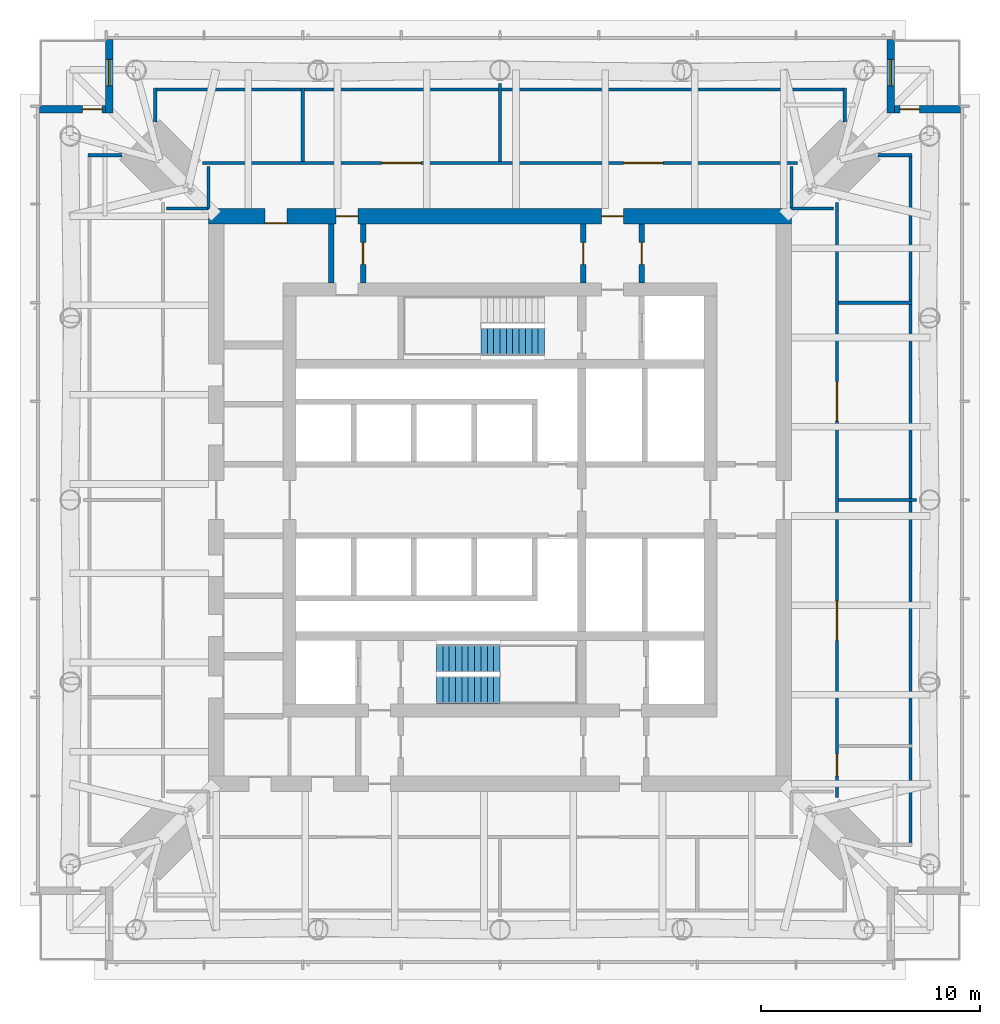
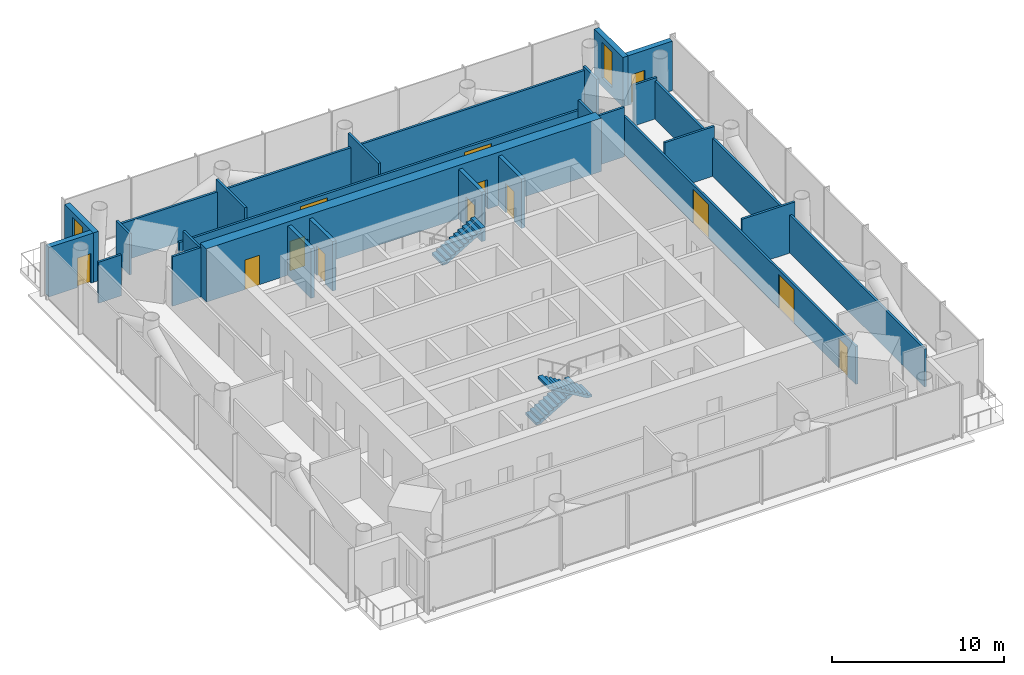
# One storey, part 7 of 13: 25 walls, 13 doors, 3 stair flights, 2 windows, 15 openings, 2 elements without a shape of their own.
"""IFC4 building model written with IfcOpenShell, lengths in metres."""

from ifc_helpers import new_model, si_unit, direction, frame, frame_2d, origin, place, context, subcontext, project, spatial, polyline, rectangle, outline, extrude, material, layer, layer_set, type_object, element, fill, aggregate, save


model = new_model("IFC4")

# Units and contexts
model_context = context("Model", 3, precision=1e-05, world=origin(), true_north=direction((0.0, 1.0)))
body_context = subcontext(model_context, "Body", "Model", "MODEL_VIEW")
ifc_project = project(units=[si_unit("LENGTHUNIT", "METRE"), si_unit("AREAUNIT", "SQUARE_METRE"), si_unit("VOLUMEUNIT", "CUBIC_METRE"), si_unit("PLANEANGLEUNIT", "RADIAN"), si_unit("MASSUNIT", "GRAM", prefix="KILO")], contexts=[model_context])

# Site, building, storey
site_placement = place(None, origin())
site = spatial("IfcSite", under=ifc_project, at=site_placement, CompositionType="ELEMENT")
building_placement = place(site_placement, origin())
building = spatial("IfcBuilding", under=site, at=building_placement, Name="Ostroluk Exchange", CompositionType="ELEMENT")
storey_placement = place(building_placement, frame((0.0, 0.0, 157.800048828125)))
storey = spatial("IfcBuildingStorey", under=building, at=storey_placement, Name="L40", CompositionType="ELEMENT", Elevation=157.800048828125)

# Wall
ifc_material_1 = material(Name="Concrete blockwork", Category="masonry")
ifc_layer_1 = layer(ifc_material_1, 0.14990234375)
ifc_layer_set_1 = layer_set([ifc_layer_1], Name="Blockwork plant room wall 150")
wall_type_1 = type_object("IfcWallType", Name="Blockwork plant room wall 150", PredefinedType="SOLIDWALL", material=ifc_layer_set_1)
wall_1_placement = place(storey_placement, frame((60.449951171875, 46.0, 0.0), z_axis=(0.0, 0.0, 1.0), x_axis=(1.0, 0.0, 0.0)))
element("IfcWall", 1, at=wall_1_placement, inside=storey, type_object=wall_type_1, Name="Plant room wall", PredefinedType="SOLIDWALL", context=body_context, shape_type="SweptSolid", body=[
    extrude(rectangle(XDim=3.56005859375, YDim=0.14990234375, at=frame_2d((1.780029296875, 0.0))), origin(), (0.0, 0.0, 1.0), 3.52001953125),
])

# Wall, openings, doors
wall_2_placement = place(storey_placement, frame((60.375, 32.431396484375, 0.0), z_axis=(0.0, 0.0, 1.0), x_axis=(0.0, 1.0, 0.0)))
wall_2 = element("IfcWall", 2, at=wall_2_placement, inside=storey, type_object=wall_type_1, Name="Plant room wall", PredefinedType="SOLIDWALL", context=body_context, shape_type="SweptSolid", body=[
    extrude(rectangle(XDim=27.13720703125, YDim=0.14990234375, at=frame_2d((13.568603515625, 0.0))), origin(), (0.0, 0.0, 1.0), 2.7060546875),
])
opening_1_placement = place(wall_2_placement, frame((0.96875, 0.0, 0.0)))
opening_1 = element("IfcOpeningElement", 3, at=opening_1_placement, cuts=wall_2, Name="Opening FD60", PredefinedType="OPENING", context=body_context, shape_type="SweptSolid", body=[
    extrude(rectangle(XDim=1.0, YDim=2.10009765625, at=frame_2d((0.5, 1.050048828125))), frame((0.0, 0.0849609375, 0.0), z_axis=(0.0, -1.0, 0.0), x_axis=(1.0, 0.0, 0.0)), (0.0, 0.0, 1.0), 0.169921875),
])
opening_2_placement = place(wall_2_placement, frame((7.168701171875, 0.0, 0.0)))
opening_2 = element("IfcOpeningElement", 4, at=opening_2_placement, cuts=wall_2, Name="Opening D-05", PredefinedType="OPENING", context=body_context, shape_type="SweptSolid", body=[
    extrude(rectangle(XDim=1.800048828125, YDim=2.39990234375, at=frame_2d((0.89990234375, 1.199951171875))), frame((0.0, 0.0849609375, 0.0), z_axis=(0.0, -1.0, 0.0), x_axis=(1.0, 0.0, 0.0)), (0.0, 0.0, 1.0), 0.169921875),
])
opening_3_placement = place(wall_2_placement, frame((17.168701171875, 0.0, 0.0)))
opening_3 = element("IfcOpeningElement", 5, at=opening_3_placement, cuts=wall_2, Name="Opening D-05", PredefinedType="OPENING", context=body_context, shape_type="SweptSolid", body=[
    extrude(rectangle(XDim=1.800048828125, YDim=2.39990234375, at=frame_2d((0.89990234375, 1.199951171875))), frame((0.0, 0.0849609375, 0.0), z_axis=(0.0, -1.0, 0.0), x_axis=(1.0, 0.0, 0.0)), (0.0, 0.0, 1.0), 0.169921875),
])
ifc_material_2 = material(Name="Steel", Category="steel")
door_type_1 = type_object("IfcDoorType", Name="Fire door EI 60 1000 x 2100", OperationType="SINGLE_SWING_LEFT", PredefinedType="DOOR", material=ifc_material_2)
door_1_placement = place(opening_1_placement, origin())
door_1 = element("IfcDoor", 6, at=door_1_placement, inside=storey, type_object=door_type_1, Name="Maintenance lobby door", OperationType="SINGLE_SWING_LEFT", OverallHeight=2.10009765625, OverallWidth=1.0, PredefinedType="DOOR", context=body_context, shape_type="SweptSolid", body=[
    extrude(rectangle(XDim=1.0, YDim=2.10009765625, at=frame_2d((0.5, 1.050048828125))), frame((0.0, 0.02490234375, 0.0), z_axis=(0.0, -1.0, 0.0), x_axis=(1.0, 0.0, 0.0)), (0.0, 0.0, 1.0), 0.050048828125),
])
fill(opening_1, door_1)
ifc_material_3 = material(Name="Steel", Category="steel")
door_type_2 = type_object("IfcDoorType", Name="Plant room double door EI 60 1800 x 2400", OperationType="DOUBLE_DOOR_SINGLE_SWING", PredefinedType="DOOR", material=ifc_material_3)
door_2_placement = place(opening_2_placement, origin())
door_2 = element("IfcDoor", 7, at=door_2_placement, inside=storey, type_object=door_type_2, Name="AHU room door", OperationType="DOUBLE_DOOR_SINGLE_SWING", OverallHeight=2.39990234375, OverallWidth=1.800048828125, PredefinedType="DOOR", context=body_context, shape_type="SweptSolid", body=[
    extrude(rectangle(XDim=1.800048828125, YDim=2.39990234375, at=frame_2d((0.89990234375, 1.199951171875))), frame((0.0, 0.02490234375, 0.0), z_axis=(0.0, -1.0, 0.0), x_axis=(1.0, 0.0, 0.0)), (0.0, 0.0, 1.0), 0.050048828125),
])
fill(opening_2, door_2)
door_3_placement = place(opening_3_placement, origin())
door_3 = element("IfcDoor", 8, at=door_3_placement, inside=storey, type_object=door_type_2, Name="Smoke extract fan room door", OperationType="DOUBLE_DOOR_SINGLE_SWING", OverallHeight=2.39990234375, OverallWidth=1.800048828125, PredefinedType="DOOR", context=body_context, shape_type="SweptSolid", body=[
    extrude(rectangle(XDim=1.800048828125, YDim=2.39990234375, at=frame_2d((0.89990234375, 1.199951171875))), frame((0.0, 0.02490234375, 0.0), z_axis=(0.0, -1.0, 0.0), x_axis=(1.0, 0.0, 0.0)), (0.0, 0.0, 1.0), 0.050048828125),
])
fill(opening_3, door_3)

# Walls
wall_3_placement = place(storey_placement, frame((60.449951171875, 55.0, 0.0), z_axis=(0.0, 0.0, 1.0), x_axis=(1.0, 0.0, 0.0)))
element("IfcWall", 9, at=wall_3_placement, inside=storey, type_object=wall_type_1, Name="Plant room wall", PredefinedType="SOLIDWALL", context=body_context, shape_type="SweptSolid", body=[
    extrude(rectangle(XDim=3.35009765625, YDim=0.14990234375, at=frame_2d((1.675048828125, 0.0))), origin(), (0.0, 0.0, 1.0), 3.52001953125),
])
wall_4_placement = place(storey_placement, frame((45.0, 61.449951171875, 0.0), z_axis=(0.0, 0.0, 1.0), x_axis=(0.0, 1.0, 0.0)))
element("IfcWall", 10, at=wall_4_placement, inside=storey, type_object=wall_type_1, Name="Plant room wall", PredefinedType="SOLIDWALL", context=body_context, shape_type="SweptSolid", body=[
    extrude(rectangle(XDim=3.56005859375, YDim=0.14990234375, at=frame_2d((1.780029296875, 0.0))), origin(), (0.0, 0.0, 1.0), 3.52001953125),
])

# Wall, openings, doors
wall_5_placement = place(storey_placement, frame((58.568603515625, 61.375, 0.0), z_axis=(0.0, 0.0, 1.0), x_axis=(-1.0, 0.0, 0.0)))
wall_5 = element("IfcWall", 11, at=wall_5_placement, inside=storey, type_object=wall_type_1, Name="Plant room wall", PredefinedType="SOLIDWALL", context=body_context, shape_type="SweptSolid", body=[
    extrude(rectangle(XDim=27.13720703125, YDim=0.14990234375, at=frame_2d((13.568603515625, 0.0))), origin(), (0.0, 0.0, 1.0), 2.7060546875),
])
opening_4_placement = place(wall_5_placement, frame((6.131103515625, 0.0, 0.0)))
opening_4 = element("IfcOpeningElement", 12, at=opening_4_placement, cuts=wall_5, Name="Opening D-05", PredefinedType="OPENING", context=body_context, shape_type="SweptSolid", body=[
    extrude(rectangle(XDim=1.800048828125, YDim=2.39990234375, at=frame_2d((0.89990234375, 1.199951171875))), frame((0.0, 0.0849609375, 0.0), z_axis=(0.0, -1.0, 0.0), x_axis=(1.0, 0.0, 0.0)), (0.0, 0.0, 1.0), 0.169921875),
])
opening_5_placement = place(wall_5_placement, frame((17.168701171875, 0.0, 0.0)))
opening_5 = element("IfcOpeningElement", 13, at=opening_5_placement, cuts=wall_5, Name="Opening D-05", PredefinedType="OPENING", context=body_context, shape_type="SweptSolid", body=[
    extrude(rectangle(XDim=1.800048828125, YDim=2.39990234375, at=frame_2d((0.89990234375, 1.199951171875))), frame((0.0, 0.0849609375, 0.0), z_axis=(0.0, -1.0, 0.0), x_axis=(1.0, 0.0, 0.0)), (0.0, 0.0, 1.0), 0.169921875),
])
door_4_placement = place(opening_4_placement, origin())
door_4 = element("IfcDoor", 14, at=door_4_placement, inside=storey, type_object=door_type_2, Name="Water tank room door", OperationType="DOUBLE_DOOR_SINGLE_SWING", OverallHeight=2.39990234375, OverallWidth=1.800048828125, PredefinedType="DOOR", context=body_context, shape_type="SweptSolid", body=[
    extrude(rectangle(XDim=1.800048828125, YDim=2.39990234375, at=frame_2d((0.89990234375, 1.199951171875))), frame((0.0, 0.02490234375, 0.0), z_axis=(0.0, -1.0, 0.0), x_axis=(1.0, 0.0, 0.0)), (0.0, 0.0, 1.0), 0.050048828125),
])
fill(opening_4, door_4)
door_5_placement = place(opening_5_placement, origin())
door_5 = element("IfcDoor", 15, at=door_5_placement, inside=storey, type_object=door_type_2, Name="Booster pump room door", OperationType="DOUBLE_DOOR_SINGLE_SWING", OverallHeight=2.39990234375, OverallWidth=1.800048828125, PredefinedType="DOOR", context=body_context, shape_type="SweptSolid", body=[
    extrude(rectangle(XDim=1.800048828125, YDim=2.39990234375, at=frame_2d((0.89990234375, 1.199951171875))), frame((0.0, 0.02490234375, 0.0), z_axis=(0.0, -1.0, 0.0), x_axis=(1.0, 0.0, 0.0)), (0.0, 0.0, 1.0), 0.050048828125),
])
fill(opening_5, door_5)

# Wall
wall_6_placement = place(storey_placement, frame((36.0, 61.449951171875, 0.0), z_axis=(0.0, 0.0, 1.0), x_axis=(0.0, 1.0, 0.0)))
element("IfcWall", 16, at=wall_6_placement, inside=storey, type_object=wall_type_1, Name="Plant room wall", PredefinedType="SOLIDWALL", context=body_context, shape_type="SweptSolid", body=[
    extrude(rectangle(XDim=3.35009765625, YDim=0.14990234375, at=frame_2d((1.675048828125, 0.0))), origin(), (0.0, 0.0, 1.0), 3.52001953125),
])

# Wall, opening, door
ifc_material_4 = material(Name="Concrete blockwork", Category="masonry")
ifc_layer_2 = layer(ifc_material_4, 0.25)
ifc_layer_set_2 = layer_set([ifc_layer_2], Name="Blockwork stair enclosure wall 250")
wall_type_2 = type_object("IfcWallType", Name="Blockwork stair enclosure wall 250", PredefinedType="SOLIDWALL", material=ifc_layer_set_2)
wall_7_placement = place(storey_placement, frame((48.804931640625, 55.89990234375, 0.0), z_axis=(0.0, 0.0, 1.0), x_axis=(0.0, 1.0, 0.0)))
wall_7 = element("IfcWall", 17, at=wall_7_placement, inside=storey, type_object=wall_type_2, Name="Fire lobby enclosure wall", PredefinedType="SOLIDWALL", context=body_context, shape_type="SweptSolid", body=[
    extrude(rectangle(XDim=2.7001953125, YDim=0.25, at=frame_2d((1.35009765625, 0.0))), origin(), (0.0, 0.0, 1.0), 3.52001953125),
])
opening_6_placement = place(wall_7_placement, frame((0.85009765625, 0.0, 0.0)))
opening_6 = element("IfcOpeningElement", 18, at=opening_6_placement, cuts=wall_7, Name="Opening FD60", PredefinedType="OPENING", context=body_context, shape_type="SweptSolid", body=[
    extrude(rectangle(XDim=1.0, YDim=2.10009765625, at=frame_2d((0.5, 1.050048828125))), frame((0.0, 0.135009765625, 0.0), z_axis=(0.0, -1.0, 0.0), x_axis=(1.0, 0.0, 0.0)), (0.0, 0.0, 1.0), 0.27001953125),
])
door_6_placement = place(opening_6_placement, origin())
door_6 = element("IfcDoor", 19, at=door_6_placement, inside=storey, type_object=door_type_1, Name="Core link door", OperationType="SINGLE_SWING_LEFT", OverallHeight=2.10009765625, OverallWidth=1.0, PredefinedType="DOOR", context=body_context, shape_type="SweptSolid", body=[
    extrude(rectangle(XDim=1.0, YDim=2.10009765625, at=frame_2d((0.5, 1.050048828125))), frame((0.0, 0.02490234375, 0.0), z_axis=(0.0, -1.0, 0.0), x_axis=(1.0, 0.0, 0.0)), (0.0, 0.0, 1.0), 0.050048828125),
])
fill(opening_6, door_6)

wall_8_placement = place(storey_placement, frame((51.47509765625, 55.89990234375, 0.0), z_axis=(0.0, 0.0, 1.0), x_axis=(0.0, 1.0, 0.0)))
wall_8 = element("IfcWall", 20, at=wall_8_placement, inside=storey, type_object=wall_type_2, Name="Fire lobby enclosure wall", PredefinedType="SOLIDWALL", context=body_context, shape_type="SweptSolid", body=[
    extrude(rectangle(XDim=2.7001953125, YDim=0.25, at=frame_2d((1.35009765625, 0.0))), origin(), (0.0, 0.0, 1.0), 3.52001953125),
])
opening_7_placement = place(wall_8_placement, frame((0.85009765625, 0.0, 0.0)))
opening_7 = element("IfcOpeningElement", 21, at=opening_7_placement, cuts=wall_8, Name="Opening FD60", PredefinedType="OPENING", context=body_context, shape_type="SweptSolid", body=[
    extrude(rectangle(XDim=1.0, YDim=2.10009765625, at=frame_2d((0.5, 1.050048828125))), frame((0.0, 0.135009765625, 0.0), z_axis=(0.0, -1.0, 0.0), x_axis=(1.0, 0.0, 0.0)), (0.0, 0.0, 1.0), 0.27001953125),
])
door_7_placement = place(opening_7_placement, origin())
door_7 = element("IfcDoor", 22, at=door_7_placement, inside=storey, type_object=door_type_1, Name="Core link door", OperationType="SINGLE_SWING_LEFT", OverallHeight=2.10009765625, OverallWidth=1.0, PredefinedType="DOOR", context=body_context, shape_type="SweptSolid", body=[
    extrude(rectangle(XDim=1.0, YDim=2.10009765625, at=frame_2d((0.5, 1.050048828125))), frame((0.0, 0.02490234375, 0.0), z_axis=(0.0, -1.0, 0.0), x_axis=(1.0, 0.0, 0.0)), (0.0, 0.0, 1.0), 0.050048828125),
])
fill(opening_7, door_7)

# Wall
wall_9_placement = place(storey_placement, frame((37.300048828125, 55.89990234375, 0.0), z_axis=(0.0, 0.0, 1.0), x_axis=(0.0, 1.0, 0.0)))
element("IfcWall", 23, at=wall_9_placement, inside=storey, type_object=wall_type_2, Name="Core corridor wall", PredefinedType="SOLIDWALL", context=body_context, shape_type="SweptSolid", body=[
    extrude(rectangle(XDim=2.7001953125, YDim=0.25, at=frame_2d((1.35009765625, 0.0))), origin(), (0.0, 0.0, 1.0), 3.52001953125),
])

# Wall, opening, door
wall_10_placement = place(storey_placement, frame((38.75, 55.89990234375, 0.0), z_axis=(0.0, 0.0, 1.0), x_axis=(0.0, 1.0, 0.0)))
wall_10 = element("IfcWall", 24, at=wall_10_placement, inside=storey, type_object=wall_type_2, Name="Core corridor wall", PredefinedType="SOLIDWALL", context=body_context, shape_type="SweptSolid", body=[
    extrude(rectangle(XDim=2.7001953125, YDim=0.25, at=frame_2d((1.35009765625, 0.0))), origin(), (0.0, 0.0, 1.0), 3.52001953125),
])
opening_8_placement = place(wall_10_placement, frame((0.85009765625, 0.0, 0.0)))
opening_8 = element("IfcOpeningElement", 25, at=opening_8_placement, cuts=wall_10, Name="Opening FD60", PredefinedType="OPENING", context=body_context, shape_type="SweptSolid", body=[
    extrude(rectangle(XDim=1.0, YDim=2.10009765625, at=frame_2d((0.5, 1.050048828125))), frame((0.0, 0.135009765625, 0.0), z_axis=(0.0, -1.0, 0.0), x_axis=(1.0, 0.0, 0.0)), (0.0, 0.0, 1.0), 0.27001953125),
])
door_8_placement = place(opening_8_placement, origin())
door_8 = element("IfcDoor", 26, at=door_8_placement, inside=storey, type_object=door_type_1, Name="Core link door", OperationType="SINGLE_SWING_LEFT", OverallHeight=2.10009765625, OverallWidth=1.0, PredefinedType="DOOR", context=body_context, shape_type="SweptSolid", body=[
    extrude(rectangle(XDim=1.0, YDim=2.10009765625, at=frame_2d((0.5, 1.050048828125))), frame((0.0, 0.02490234375, 0.0), z_axis=(0.0, -1.0, 0.0), x_axis=(1.0, 0.0, 0.0)), (0.0, 0.0, 1.0), 0.050048828125),
])
fill(opening_8, door_8)

# Wall, openings, doors
ifc_material_5 = material(Name="Concrete C50/60", Category="concrete")
ifc_layer_3 = layer(ifc_material_5, 0.699951171875)
ifc_layer_set_3 = layer_set([ifc_layer_3], Name="Core wall 700 C50/60")
wall_type_3 = type_object("IfcWallType", Name="Core wall 700 C50/60", PredefinedType="SHEAR", material=ifc_layer_set_3)
wall_11_placement = place(storey_placement, frame((31.699951171875, 58.949951171875, 0.0), z_axis=(0.0, 0.0, 1.0), x_axis=(1.0, 0.0, 0.0)))
wall_11 = element("IfcWall", 27, at=wall_11_placement, inside=storey, type_object=wall_type_3, Name="T1 core wall RN", PredefinedType="SHEAR", context=body_context, shape_type="SweptSolid", body=[
    extrude(rectangle(XDim=26.60009765625, YDim=0.699951171875, at=frame_2d((13.300048828125, 0.0))), origin(), (0.0, 0.0, 1.0), 3.800048828125),
])
opening_9_placement = place(wall_11_placement, frame((17.93994140625, 0.0, 0.0)))
opening_9 = element("IfcOpeningElement", 28, at=opening_9_placement, cuts=wall_11, Name="Opening FD60", PredefinedType="OPENING", context=body_context, shape_type="SweptSolid", body=[
    extrude(rectangle(XDim=1.0, YDim=2.10009765625, at=frame_2d((0.5, 1.050048828125))), frame((0.0, 0.35986328125, 0.0), z_axis=(0.0, -1.0, 0.0), x_axis=(1.0, 0.0, 0.0)), (0.0, 0.0, 1.0), 0.719970703125),
])
opening_10_placement = place(wall_11_placement, frame((5.824951171875, 0.0, 0.0)))
opening_10 = element("IfcOpeningElement", 29, at=opening_10_placement, cuts=wall_11, Name="Opening FD60", PredefinedType="OPENING", context=body_context, shape_type="SweptSolid", body=[
    extrude(rectangle(XDim=1.0, YDim=2.10009765625, at=frame_2d((0.5, 1.050048828125))), frame((0.0, 0.35986328125, 0.0), z_axis=(0.0, -1.0, 0.0), x_axis=(1.0, 0.0, 0.0)), (0.0, 0.0, 1.0), 0.719970703125),
])
opening_11_placement = place(wall_11_placement, frame((2.58740234375, 0.0, 0.0)))
opening_11 = element("IfcOpeningElement", 30, at=opening_11_placement, cuts=wall_11, Name="Opening FD60", PredefinedType="OPENING", context=body_context, shape_type="SweptSolid", body=[
    extrude(rectangle(XDim=1.0, YDim=2.10009765625, at=frame_2d((0.5, 1.050048828125))), frame((0.0, 0.35986328125, 0.0), z_axis=(0.0, -1.0, 0.0), x_axis=(1.0, 0.0, 0.0)), (0.0, 0.0, 1.0), 0.719970703125),
])
door_9_placement = place(opening_9_placement, origin())
door_9 = element("IfcDoor", 31, at=door_9_placement, inside=storey, type_object=door_type_1, Name="Firefighting lobby door", OperationType="SINGLE_SWING_RIGHT", OverallHeight=2.10009765625, OverallWidth=1.0, PredefinedType="DOOR", context=body_context, shape_type="SweptSolid", body=[
    extrude(rectangle(XDim=1.0, YDim=2.10009765625, at=frame_2d((0.5, 1.050048828125))), frame((0.0, 0.02490234375, 0.0), z_axis=(0.0, -1.0, 0.0), x_axis=(1.0, 0.0, 0.0)), (0.0, 0.0, 1.0), 0.050048828125),
])
fill(opening_9, door_9)
door_10_placement = place(opening_10_placement, origin())
door_10 = element("IfcDoor", 32, at=door_10_placement, inside=storey, type_object=door_type_1, Name="Core corridor door", OperationType="SINGLE_SWING_LEFT", OverallHeight=2.10009765625, OverallWidth=1.0, PredefinedType="DOOR", context=body_context, shape_type="SweptSolid", body=[
    extrude(rectangle(XDim=1.0, YDim=2.10009765625, at=frame_2d((0.5, 1.050048828125))), frame((0.0, 0.02490234375, 0.0), z_axis=(0.0, -1.0, 0.0), x_axis=(1.0, 0.0, 0.0)), (0.0, 0.0, 1.0), 0.050048828125),
])
fill(opening_10, door_10)
door_11_placement = place(opening_11_placement, origin())
door_11 = element("IfcDoor", 33, at=door_11_placement, inside=storey, type_object=door_type_1, Name="Plant control room door", OperationType="SINGLE_SWING_LEFT", OverallHeight=2.10009765625, OverallWidth=1.0, PredefinedType="DOOR", context=body_context, shape_type="SweptSolid", body=[
    extrude(rectangle(XDim=1.0, YDim=2.10009765625, at=frame_2d((0.5, 1.050048828125))), frame((0.0, -0.2900390625, 0.0), z_axis=(0.0, -1.0, 0.0), x_axis=(1.0, 0.0, 0.0)), (0.0, 0.0, 1.0), 0.050048828125),
])
fill(opening_11, door_11)

# Wall, opening, window
ifc_material_6 = material(Name="Limestone", Category="masonry")
ifc_layer_4 = layer(ifc_material_6, 0.35009765625)
ifc_layer_set_4 = layer_set([ifc_layer_4], Name="Limestone facade wall 350")
wall_type_4 = type_object("IfcWallType", Name="Limestone facade wall 350", PredefinedType="SOLIDWALL", material=ifc_layer_set_4)
wall_12_placement = place(storey_placement, frame((62.824951171875, 67.0, 0.0), z_axis=(0.0, 0.0, 1.0), x_axis=(0.0, -1.0, 0.0)))
wall_12 = element("IfcWall", 34, at=wall_12_placement, inside=storey, type_object=wall_type_4, Name="Office tower NE corner wall L40 a", PredefinedType="SOLIDWALL", context=body_context, shape_type="SweptSolid", body=[
    extrude(rectangle(XDim=3.35009765625, YDim=0.35009765625, at=frame_2d((1.675048828125, 0.0))), origin(), (0.0, 0.0, 1.0), 3.52001953125),
])
opening_12_placement = place(wall_12_placement, frame((0.89990234375, 0.0, 0.60009765625)))
opening_12 = element("IfcOpeningElement", 35, at=opening_12_placement, cuts=wall_12, Name="Opening WN-LV1", PredefinedType="OPENING", context=body_context, shape_type="SweptSolid", body=[
    extrude(rectangle(XDim=1.199951171875, YDim=2.550048828125, at=frame_2d((0.60009765625, 1.27490234375))), frame((0.0, 0.18505859375, 0.0), z_axis=(0.0, -1.0, 0.0), x_axis=(1.0, 0.0, 0.0)), (0.0, 0.0, 1.0), 0.3701171875),
])
ifc_material_7 = material(Name="Aluminium louvre", Category="aluminium")
window_type = type_object("IfcWindowType", Name="Lancet louvre 1200 x 2550", PartitioningType="SINGLE_PANEL", PredefinedType="USERDEFINED", material=ifc_material_7)
window_1_placement = place(opening_12_placement, origin())
window_1 = element("IfcWindow", 36, at=window_1_placement, inside=storey, type_object=window_type, Name="Office tower NE plant louvre L40", ObjectType="LOUVRE", OverallHeight=2.550048828125, OverallWidth=1.199951171875, PartitioningType="SINGLE_PANEL", PredefinedType="USERDEFINED", context=body_context, shape_type="SweptSolid", body=[
    extrude(rectangle(XDim=1.199951171875, YDim=2.550048828125, at=frame_2d((0.60009765625, 1.27490234375))), frame((0.0, 0.030029296875, 0.0), z_axis=(0.0, -1.0, 0.0), x_axis=(1.0, 0.0, 0.0)), (0.0, 0.0, 1.0), 0.06005859375),
])
fill(opening_12, window_1)

# Wall, opening, door
wall_13_placement = place(storey_placement, frame((63.0, 63.824951171875, 0.0), z_axis=(0.0, 0.0, 1.0), x_axis=(1.0, 0.0, 0.0)))
wall_13 = element("IfcWall", 37, at=wall_13_placement, inside=storey, type_object=wall_type_4, Name="Office tower NE corner wall L40 b", PredefinedType="SOLIDWALL", context=body_context, shape_type="SweptSolid", body=[
    extrude(rectangle(XDim=3.0, YDim=0.35009765625, at=frame_2d((1.5, 0.0))), origin(), (0.0, 0.0, 1.0), 3.52001953125),
])
opening_13_placement = place(wall_13_placement, frame((0.25, 0.0, 0.0)))
opening_13 = element("IfcOpeningElement", 38, at=opening_13_placement, cuts=wall_13, Name="Opening D-M1", PredefinedType="OPENING", context=body_context, shape_type="SweptSolid", body=[
    extrude(rectangle(XDim=0.89990234375, YDim=2.10009765625, at=frame_2d((0.449951171875, 1.050048828125))), frame((0.0, 0.18505859375, 0.0), z_axis=(0.0, -1.0, 0.0), x_axis=(1.0, 0.0, 0.0)), (0.0, 0.0, 1.0), 0.3701171875),
])
ifc_material_8 = material(Name="Steel door", Category="steel")
door_type_3 = type_object("IfcDoorType", Name="Maintenance access door 900 x 2100", OperationType="SINGLE_SWING_LEFT", PredefinedType="DOOR", material=ifc_material_8)
door_12_placement = place(opening_13_placement, origin())
door_12 = element("IfcDoor", 39, at=door_12_placement, inside=storey, type_object=door_type_3, Name="Maintenance access door T1 L40 NE", OperationType="SINGLE_SWING_LEFT", OverallHeight=2.10009765625, OverallWidth=0.89990234375, PredefinedType="DOOR", context=body_context, shape_type="SweptSolid", body=[
    extrude(rectangle(XDim=0.89990234375, YDim=2.10009765625, at=frame_2d((0.449951171875, 1.050048828125))), frame((0.0, 0.02490234375, 0.0), z_axis=(0.0, -1.0, 0.0), x_axis=(1.0, 0.0, 0.0)), (0.0, 0.0, 1.0), 0.050048828125),
])
fill(opening_13, door_12)

# Wall, opening, window
wall_14_placement = place(storey_placement, frame((27.175048828125, 67.0, 0.0), z_axis=(0.0, 0.0, 1.0), x_axis=(0.0, -1.0, 0.0)))
wall_14 = element("IfcWall", 40, at=wall_14_placement, inside=storey, type_object=wall_type_4, Name="Office tower NW corner wall L40 a", PredefinedType="SOLIDWALL", context=body_context, shape_type="SweptSolid", body=[
    extrude(rectangle(XDim=3.35009765625, YDim=0.35009765625, at=frame_2d((1.675048828125, 0.0))), origin(), (0.0, 0.0, 1.0), 3.52001953125),
])
opening_14_placement = place(wall_14_placement, frame((0.89990234375, 0.0, 0.60009765625)))
opening_14 = element("IfcOpeningElement", 41, at=opening_14_placement, cuts=wall_14, Name="Opening WN-LV1", PredefinedType="OPENING", context=body_context, shape_type="SweptSolid", body=[
    extrude(rectangle(XDim=1.199951171875, YDim=2.550048828125, at=frame_2d((0.60009765625, 1.27490234375))), frame((0.0, 0.18505859375, 0.0), z_axis=(0.0, -1.0, 0.0), x_axis=(1.0, 0.0, 0.0)), (0.0, 0.0, 1.0), 0.3701171875),
])
window_2_placement = place(opening_14_placement, origin())
window_2 = element("IfcWindow", 42, at=window_2_placement, inside=storey, type_object=window_type, Name="Office tower NW plant louvre L40", ObjectType="LOUVRE", OverallHeight=2.550048828125, OverallWidth=1.199951171875, PartitioningType="SINGLE_PANEL", PredefinedType="USERDEFINED", context=body_context, shape_type="SweptSolid", body=[
    extrude(rectangle(XDim=1.199951171875, YDim=2.550048828125, at=frame_2d((0.60009765625, 1.27490234375))), frame((0.0, 0.030029296875, 0.0), z_axis=(0.0, -1.0, 0.0), x_axis=(1.0, 0.0, 0.0)), (0.0, 0.0, 1.0), 0.06005859375),
])
fill(opening_14, window_2)

# Wall, opening, door
wall_15_placement = place(storey_placement, frame((27.0, 63.824951171875, 0.0), z_axis=(0.0, 0.0, 1.0), x_axis=(-1.0, 0.0, 0.0)))
wall_15 = element("IfcWall", 43, at=wall_15_placement, inside=storey, type_object=wall_type_4, Name="Office tower NW corner wall L40 b", PredefinedType="SOLIDWALL", context=body_context, shape_type="SweptSolid", body=[
    extrude(rectangle(XDim=3.0, YDim=0.35009765625, at=frame_2d((1.5, 0.0))), origin(), (0.0, 0.0, 1.0), 3.52001953125),
])
opening_15_placement = place(wall_15_placement, frame((0.14990234375, 0.0, 0.0)))
opening_15 = element("IfcOpeningElement", 44, at=opening_15_placement, cuts=wall_15, Name="Opening D-M1", PredefinedType="OPENING", context=body_context, shape_type="SweptSolid", body=[
    extrude(rectangle(XDim=0.89990234375, YDim=2.10009765625, at=frame_2d((0.449951171875, 1.050048828125))), frame((0.0, 0.18505859375, 0.0), z_axis=(0.0, -1.0, 0.0), x_axis=(1.0, 0.0, 0.0)), (0.0, 0.0, 1.0), 0.3701171875),
])
door_13_placement = place(opening_15_placement, origin())
door_13 = element("IfcDoor", 45, at=door_13_placement, inside=storey, type_object=door_type_3, Name="Maintenance access door T1 L40 NW", OperationType="SINGLE_SWING_LEFT", OverallHeight=2.10009765625, OverallWidth=0.89990234375, PredefinedType="DOOR", context=body_context, shape_type="SweptSolid", body=[
    extrude(rectangle(XDim=0.89990234375, YDim=2.10009765625, at=frame_2d((0.449951171875, 1.050048828125))), frame((0.0, 0.02490234375, 0.0), z_axis=(0.0, -1.0, 0.0), x_axis=(1.0, 0.0, 0.0)), (0.0, 0.0, 1.0), 0.050048828125),
])
fill(opening_15, door_13)

# Walls
ifc_material_9 = material(Name="Gypsum plasterboard partition", Category="gypsum")
ifc_layer_5 = layer(ifc_material_9, 0.14990234375)
ifc_layer_set_5 = layer_set([ifc_layer_5], Name="Plasterboard partition 150")
wall_type_5 = type_object("IfcWallType", Name="Plasterboard partition 150", PredefinedType="PARTITIONING", material=ifc_layer_set_5)
for number, where, z_axis, x_axis, name in (
    (46, (58.300048828125, 59.300048828125, 0.0), (0.0, 0.0, 1.0), (1.0, 0.0, 0.0), "Partition"),
    (47, (31.699951171875, 59.300048828125, 0.0), (0.0, 0.0, 1.0), (0.0, 1.0, 0.0), "Partition"),
    (48, (58.300048828125, 59.300048828125, 0.0), (0.0, 0.0, 1.0), (0.0, 1.0, 0.0), "Partition"),
    (49, (31.699951171875, 59.300048828125, 0.0), (0.0, 0.0, 1.0), (-1.0, 0.0, 0.0), "Partition"),
):
    element("IfcWall", number, at=place(storey_placement, frame(where, z_axis=z_axis, x_axis=x_axis)), inside=storey, type_object=wall_type_5, Name=name, PredefinedType="PARTITIONING", context=body_context, shape_type="SweptSolid", body=[
        extrude(rectangle(XDim=1.917236328125, YDim=0.14990234375, at=frame_2d((0.95849609375, 0.0))), origin(), (0.0, 0.0, 1.0), 3.52001953125),
    ])
for number, where, z_axis, x_axis, name in (
    (50, (26.199951171875, 61.72509765625, 0.0), (0.0, 0.0, 1.0), (1.0, 0.0, 0.0), "Truss zone partition"),
    (51, (29.27490234375, 63.24560546875, 0.0), (0.0, 0.0, 1.0), (0.0, 1.0, 0.0), "Truss zone partition"),
):
    element("IfcWall", number, at=place(storey_placement, frame(where, z_axis=z_axis, x_axis=x_axis)), inside=storey, type_object=wall_type_5, Name=name, PredefinedType="PARTITIONING", context=body_context, shape_type="SweptSolid", body=[
        extrude(rectangle(XDim=1.554443359375, YDim=0.14990234375, at=frame_2d((0.77734375, 0.0))), origin(), (0.0, 0.0, 1.0), 2.919921875),
    ])
wall_16_placement = place(storey_placement, frame((29.199951171875, 64.72509765625, 0.0), z_axis=(0.0, 0.0, 1.0), x_axis=(1.0, 0.0, 0.0)))
element("IfcWall", 52, at=wall_16_placement, inside=storey, type_object=wall_type_5, Name="Truss zone partition", PredefinedType="PARTITIONING", context=body_context, shape_type="SweptSolid", body=[
    extrude(rectangle(XDim=31.60009765625, YDim=0.14990234375, at=frame_2d((15.800048828125, 0.0))), origin(), (0.0, 0.0, 1.0), 2.7060546875),
])
for number, where, z_axis, x_axis, name in (
    (53, (60.72509765625, 64.800048828125, 0.0), (0.0, 0.0, 1.0), (0.0, -1.0, 0.0), "Truss zone partition"),
    (54, (62.24560546875, 61.72509765625, 0.0), (0.0, 0.0, 1.0), (1.0, 0.0, 0.0), "Truss zone partition"),
):
    element("IfcWall", number, at=place(storey_placement, frame(where, z_axis=z_axis, x_axis=x_axis)), inside=storey, type_object=wall_type_5, Name=name, PredefinedType="PARTITIONING", context=body_context, shape_type="SweptSolid", body=[
        extrude(rectangle(XDim=1.554443359375, YDim=0.14990234375, at=frame_2d((0.77734375, 0.0))), origin(), (0.0, 0.0, 1.0), 2.919921875),
    ])
wall_17_placement = place(storey_placement, frame((63.72509765625, 61.800048828125, 0.0), z_axis=(0.0, 0.0, 1.0), x_axis=(0.0, -1.0, 0.0)))
element("IfcWall", 55, at=wall_17_placement, inside=storey, type_object=wall_type_5, Name="Truss zone partition", PredefinedType="PARTITIONING", context=body_context, shape_type="SweptSolid", body=[
    extrude(rectangle(XDim=31.60009765625, YDim=0.14990234375, at=frame_2d((15.800048828125, 0.0))), origin(), (0.0, 0.0, 1.0), 2.7060546875),
])

# Stair, stair flights
ifc_material_10 = material(Name="Concrete C30/37", Category="concrete")
stair_type = type_object("IfcStairType", Name="Exit stair half turn 3800", PredefinedType="HALF_TURN_STAIR", material=ifc_material_10)
stair_1_placement = place(storey_placement, origin())
stair_1 = element("IfcStair", 56, at=stair_1_placement, inside=storey, type_object=stair_type, Name="Stair T1-S1 L40", PredefinedType="HALF_TURN_STAIR")
ifc_material_11 = material(Name="Concrete C30/37", Category="concrete")
stair_flight_type = type_object("IfcStairFlightType", Name="Stair flight 11 risers 172.7 x 290", PredefinedType="STRAIGHT", material=ifc_material_11)
stair_flight_1_placement = place(storey_placement, frame((42.10009765625, 38.77490234375, 0.0), z_axis=(0.0, 0.0, 1.0), x_axis=(1.0, 0.0, 0.0)))
stair_flight_1 = element("IfcStairFlight", 57, at=stair_flight_1_placement, type_object=stair_flight_type, Name="T1-S1 flight 1", NumberOfRisers=11, NumberOfTreads=10, PredefinedType="STRAIGHT", RiserHeight=0.172727273, TreadLength=0.29, context=body_context, shape_type="SweptSolid", body=[
    extrude(outline(polyline([(0.0, 0.0), (0.0, 0.172607421875), (0.2900390625, 0.172607421875), (0.2900390625, 0.345458984375), (0.580078125, 0.345458984375), (0.580078125, 0.51806640625), (0.8701171875, 0.51806640625), (0.8701171875, 0.69091796875), (1.159912109375, 0.69091796875), (1.159912109375, 0.863525390625), (1.449951171875, 0.863525390625), (1.449951171875, 1.036376953125), (1.739990234375, 1.036376953125), (1.739990234375, 1.208984375), (2.030029296875, 1.208984375), (2.030029296875, 1.3818359375), (2.320068359375, 1.3818359375), (2.320068359375, 1.554443359375), (2.610107421875, 1.554443359375), (2.610107421875, 1.727294921875), (2.89990234375, 1.727294921875), (2.89990234375, 1.89990234375), (2.89990234375, 1.552734375), (0.29296875, 0.0), (0.0, 0.0)])), frame((0.0, 0.625, 0.0), z_axis=(0.0, -1.0, 0.0), x_axis=(1.0, 0.0, 0.0)), (0.0, 0.0, 1.0), 1.25),
])
stair_flight_2_placement = place(storey_placement, frame((45.0, 37.324951171875, 1.89990234375), z_axis=(0.0, 0.0, 1.0), x_axis=(-1.0, 0.0, 0.0)))
stair_flight_2 = element("IfcStairFlight", 58, at=stair_flight_2_placement, type_object=stair_flight_type, Name="T1-S1 flight 2", NumberOfRisers=11, NumberOfTreads=10, PredefinedType="STRAIGHT", RiserHeight=0.172727273, TreadLength=0.29, context=body_context, shape_type="SweptSolid", body=[
    extrude(outline(polyline([(0.0, 0.0), (0.0, 0.172607421875), (0.2900390625, 0.172607421875), (0.2900390625, 0.345458984375), (0.580078125, 0.345458984375), (0.580078125, 0.51806640625), (0.8701171875, 0.51806640625), (0.8701171875, 0.69091796875), (1.159912109375, 0.69091796875), (1.159912109375, 0.863525390625), (1.449951171875, 0.863525390625), (1.449951171875, 1.036376953125), (1.739990234375, 1.036376953125), (1.739990234375, 1.208984375), (2.030029296875, 1.208984375), (2.030029296875, 1.3818359375), (2.320068359375, 1.3818359375), (2.320068359375, 1.554443359375), (2.610107421875, 1.554443359375), (2.610107421875, 1.727294921875), (2.89990234375, 1.727294921875), (2.89990234375, 1.89990234375), (2.89990234375, 1.552734375), (0.29296875, 0.0), (0.0, 0.0)])), frame((0.0, 0.625, 0.0), z_axis=(0.0, -1.0, 0.0), x_axis=(1.0, 0.0, 0.0)), (0.0, 0.0, 1.0), 1.25),
])
aggregate(stair_1, [stair_flight_1, stair_flight_2])

# Stair, stair flight
stair_2_placement = place(storey_placement, origin())
stair_2 = element("IfcStair", 59, at=stair_2_placement, inside=storey, type_object=stair_type, Name="Stair T1-S2 L40", PredefinedType="HALF_TURN_STAIR")
stair_flight_3_placement = place(storey_placement, frame((44.1298828125, 53.22509765625, 1.89990234375), z_axis=(0.0, 0.0, 1.0), x_axis=(1.0, 0.0, 0.0)))
stair_flight_3 = element("IfcStairFlight", 60, at=stair_flight_3_placement, type_object=stair_flight_type, Name="T1-S2 flight 2", NumberOfRisers=11, NumberOfTreads=10, PredefinedType="STRAIGHT", RiserHeight=0.172727273, TreadLength=0.29, context=body_context, shape_type="SweptSolid", body=[
    extrude(outline(polyline([(0.0, 0.0), (0.0, 0.172607421875), (0.2900390625, 0.172607421875), (0.2900390625, 0.345458984375), (0.580078125, 0.345458984375), (0.580078125, 0.51806640625), (0.8701171875, 0.51806640625), (0.8701171875, 0.69091796875), (1.159912109375, 0.69091796875), (1.159912109375, 0.863525390625), (1.449951171875, 0.863525390625), (1.449951171875, 1.036376953125), (1.739990234375, 1.036376953125), (1.739990234375, 1.208984375), (2.030029296875, 1.208984375), (2.030029296875, 1.3818359375), (2.320068359375, 1.3818359375), (2.320068359375, 1.554443359375), (2.610107421875, 1.554443359375), (2.610107421875, 1.727294921875), (2.89990234375, 1.727294921875), (2.89990234375, 1.89990234375), (2.89990234375, 1.552734375), (0.29296875, 0.0), (0.0, 0.0)])), frame((0.0, 0.625, 0.0), z_axis=(0.0, -1.0, 0.0), x_axis=(1.0, 0.0, 0.0)), (0.0, 0.0, 1.0), 1.25),
])
aggregate(stair_2, [stair_flight_3])

save(model, "model.ifc")
